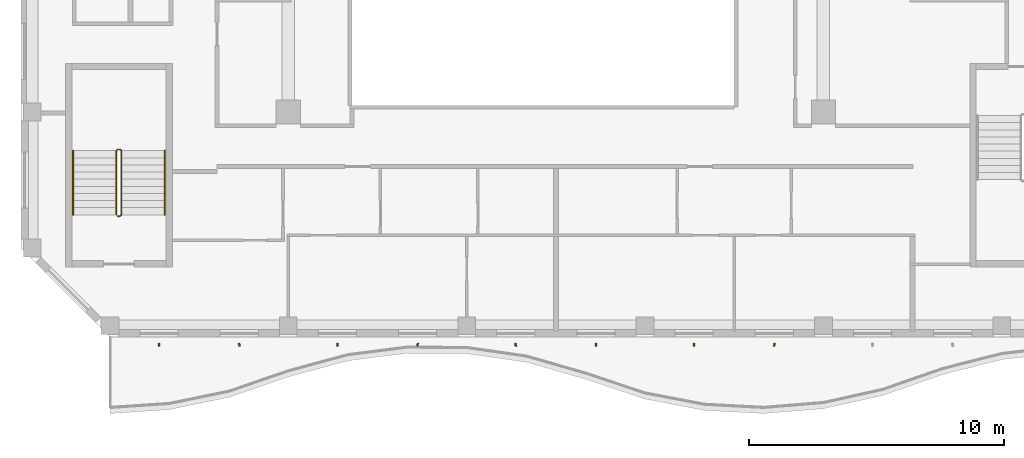
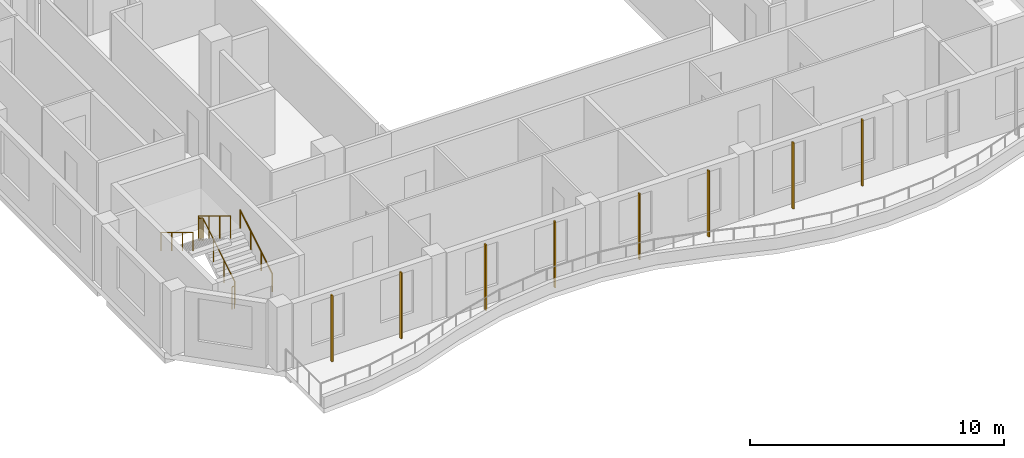
# One storey, part 13 of 19: 8 shading devices, 3 railings.
"""IFC4 building model written with IfcOpenShell, lengths in metres."""

from ifc_helpers import new_model, si_unit, direction, frame, origin, origin_2d, place, context, subcontext, project, spatial, rectangle, circle, extrude, source, transform, mapped, material, material_profile, profile_set, type_object, element, save


model = new_model("IFC4")

# Units and contexts
model_context = context("Model", 3, precision=1e-05, world=origin(), true_north=direction((0.0, 1.0)))
body_context = subcontext(model_context, "Body", "Model", "MODEL_VIEW")
ifc_project = project(units=[si_unit("LENGTHUNIT", "METRE"), si_unit("AREAUNIT", "SQUARE_METRE"), si_unit("VOLUMEUNIT", "CUBIC_METRE"), si_unit("PLANEANGLEUNIT", "RADIAN"), si_unit("MASSUNIT", "GRAM", prefix="KILO")], contexts=[model_context])

# Site, building, storey
site_placement = place(None, origin())
site = spatial("IfcSite", under=ifc_project, at=site_placement, CompositionType="ELEMENT")
building_placement = place(site_placement, origin())
building = spatial("IfcBuilding", under=site, at=building_placement, Name="Kilnfold Tower and Market Hall", CompositionType="ELEMENT")
storey_placement = place(building_placement, frame((0.0, 0.0, 252.60009765625)))
storey = spatial("IfcBuildingStorey", under=building, at=storey_placement, Name="L61", CompositionType="ELEMENT", Elevation=252.60009765625)

# Railings
ifc_material_1 = material(Name="Stainless steel 316", Category="steel")
railing_type_1 = type_object("IfcRailingType", Name="CORE STAIR GUARD 1100", PredefinedType="GUARDRAIL", material=ifc_material_1)
railing_1_placement = place(storey_placement, frame((-15.699951171875, -13.75, 0.0)))
element("IfcRailing", 1, at=railing_1_placement, inside=storey, type_object=railing_type_1, Name="L61 ST3 stair guard 1", PredefinedType="GUARDRAIL", context=body_context, shape_type="SweptSolid", body=[
    extrude(circle(Radius=0.02392578125, at=origin_2d()), frame((0.0, 0.0, 1.076171875), z_axis=(1.0, 0.0, 0.0), x_axis=(0.0, 1.0, 0.0)), (0.0, 0.0, 1.0), 0.099853515625),
    extrude(circle(Radius=0.02392578125, at=origin_2d()), frame((0.099853515625, 0.0, 1.076171875), z_axis=(0.271895245746, 0.271895245746, 0.923117517265), x_axis=(-0.707106781187, 0.707106781187, 0.0)), (0.0, 0.0, 1.0), 0.18408203125),
    extrude(circle(Radius=0.02392578125, at=origin_2d()), frame((0.14990234375, 0.050048828125, 1.24609375), z_axis=(0.0, 0.85478489116, 0.518982456201), x_axis=(-1.0, 0.0, 0.0)), (0.0, 0.0, 1.0), 2.9482421875),
    extrude(circle(Radius=0.02392578125, at=origin_2d()), frame((0.14990234375, 2.570068359375, 2.77587890625), z_axis=(-0.707106781187, 0.707106781187, 0.0), x_axis=(-0.707106781187, -0.707106781187, 0.0)), (0.0, 0.0, 1.0), 0.07080078125),
    extrude(circle(Radius=0.02392578125, at=origin_2d()), frame((0.099853515625, 2.6201171875, 2.77587890625), z_axis=(-1.0, 0.0, 0.0), x_axis=(0.0, -1.0, 0.0)), (0.0, 0.0, 1.0), 0.099853515625),
    extrude(circle(Radius=0.02392578125, at=origin_2d()), frame((0.0, 2.6201171875, 2.77587890625), z_axis=(-0.271895245746, -0.271895245746, 0.923117517265), x_axis=(0.707106781187, -0.707106781187, 0.0)), (0.0, 0.0, 1.0), 0.18408203125),
    extrude(circle(Radius=0.02392578125, at=origin_2d()), frame((-0.050048828125, 2.570068359375, 2.94580078125), z_axis=(0.0, -0.85478489116, 0.518982456201), x_axis=(1.0, 0.0, 0.0)), (0.0, 0.0, 1.0), 2.9482421875),
    extrude(circle(Radius=0.02099609375, at=origin_2d()), origin(), (0.0, 0.0, 1.0), 1.052001953125),
    extrude(circle(Radius=0.02099609375, at=origin_2d()), frame((0.099853515625, 0.0, 0.0)), (0.0, 0.0, 1.0), 1.052001953125),
    extrude(circle(Radius=0.02099609375, at=origin_2d()), frame((0.14990234375, 0.050048828125, 0.169921875)), (0.0, 0.0, 1.0), 1.052001953125),
    extrude(circle(Radius=0.02099609375, at=origin_2d()), frame((0.14990234375, 0.89013671875, 0.679931640625)), (0.0, 0.0, 1.0), 1.052001953125),
    extrude(circle(Radius=0.02099609375, at=origin_2d()), frame((0.14990234375, 1.72998046875, 1.18994140625)), (0.0, 0.0, 1.0), 1.052001953125),
    extrude(circle(Radius=0.02099609375, at=origin_2d()), frame((0.14990234375, 2.570068359375, 1.699951171875)), (0.0, 0.0, 1.0), 1.052001953125),
    extrude(circle(Radius=0.02099609375, at=origin_2d()), frame((0.099853515625, 2.6201171875, 1.699951171875)), (0.0, 0.0, 1.0), 1.052001953125),
    extrude(circle(Radius=0.02099609375, at=origin_2d()), frame((0.0, 2.6201171875, 1.699951171875)), (0.0, 0.0, 1.0), 1.052001953125),
    extrude(circle(Radius=0.02099609375, at=origin_2d()), frame((-0.050048828125, 2.570068359375, 1.869873046875)), (0.0, 0.0, 1.0), 1.052001953125),
    extrude(circle(Radius=0.02099609375, at=origin_2d()), frame((-0.050048828125, 1.72998046875, 2.3798828125)), (0.0, 0.0, 1.0), 1.052001953125),
    extrude(circle(Radius=0.02099609375, at=origin_2d()), frame((-0.050048828125, 0.89013671875, 2.889892578125)), (0.0, 0.0, 1.0), 1.052001953125),
    extrude(circle(Radius=0.02099609375, at=origin_2d()), frame((-0.050048828125, 0.050048828125, 3.39990234375)), (0.0, 0.0, 1.0), 1.052001953125),
])
ifc_material_2 = material(Name="Stainless steel 316", Category="steel")
railing_type_2 = type_object("IfcRailingType", Name="CORE STAIR HANDRAIL 900", PredefinedType="HANDRAIL", material=ifc_material_2)
railing_2_placement = place(storey_placement, frame((-13.85009765625, -13.699951171875, 0.169921875)))
element("IfcRailing", 2, at=railing_2_placement, inside=storey, type_object=railing_type_2, Name="L61 ST3 stair handrail 1", PredefinedType="HANDRAIL", context=body_context, shape_type="SweptSolid", body=[
    extrude(circle(Radius=0.02392578125, at=origin_2d()), frame((0.0, 0.0, 0.8759765625), z_axis=(0.0, 0.85478489116, 0.518982456201), x_axis=(-1.0, 0.0, 0.0)), (0.0, 0.0, 1.0), 2.9482421875),
    extrude(circle(Radius=0.02099609375, at=origin_2d()), origin(), (0.0, 0.0, 1.0), 0.851806640625),
    extrude(circle(Radius=0.02099609375, at=origin_2d()), frame((0.0, 0.840087890625, 0.510009765625)), (0.0, 0.0, 1.0), 0.851806640625),
    extrude(circle(Radius=0.02099609375, at=origin_2d()), frame((0.0, 1.679931640625, 1.02001953125)), (0.0, 0.0, 1.0), 0.851806640625),
    extrude(circle(Radius=0.02099609375, at=origin_2d()), frame((0.0, 2.52001953125, 1.530029296875)), (0.0, 0.0, 1.0), 0.851806640625),
])
railing_3_placement = place(storey_placement, frame((-17.449951171875, -11.179931640625, 1.869873046875)))
element("IfcRailing", 3, at=railing_3_placement, inside=storey, type_object=railing_type_2, Name="L61 ST3 stair handrail 2", PredefinedType="HANDRAIL", context=body_context, shape_type="SweptSolid", body=[
    extrude(circle(Radius=0.02392578125, at=origin_2d()), frame((0.0, 0.0, 0.8759765625), z_axis=(0.0, -0.85478489116, 0.518982456201), x_axis=(1.0, 0.0, 0.0)), (0.0, 0.0, 1.0), 2.9482421875),
    extrude(circle(Radius=0.02099609375, at=origin_2d()), origin(), (0.0, 0.0, 1.0), 0.851806640625),
    extrude(circle(Radius=0.02099609375, at=origin_2d()), frame((0.0, -0.840087890625, 0.510009765625)), (0.0, 0.0, 1.0), 0.851806640625),
    extrude(circle(Radius=0.02099609375, at=origin_2d()), frame((0.0, -1.679931640625, 1.02001953125)), (0.0, 0.0, 1.0), 0.851806640625),
    extrude(circle(Radius=0.02099609375, at=origin_2d()), frame((0.0, -2.52001953125, 1.530029296875)), (0.0, 0.0, 1.0), 0.851806640625),
])

# Shading devices
ifc_material_3 = material(Name="Terracotta", Category="masonry")
ifc_material_profile = material_profile(ifc_material_3, rectangle(XDim=0.06005859375, YDim=0.1201171875, at=origin_2d()), Name="BAG 60x120")
ifc_profile_set = profile_set([ifc_material_profile], Name="Terracotta")
shading_device_type = type_object("IfcShadingDeviceType", Name="BAGUETTE", PredefinedType="USERDEFINED", material=ifc_profile_set)
shared_shape = source(origin(), body_context, "Body", "SweptSolid", [
    extrude(rectangle(XDim=0.06005859375, YDim=0.1201171875, at=origin_2d()), origin(), (0.0, 0.0, 1.0), 3.179931640625),
])
for number, where, z_axis, x_axis, name in (
    (4, (-14.074951171875, -18.800048828125, 0.0), (0.0, 0.0, 1.0), (0.999496310785, 0.031735228472, 0.0), "Terracotta baguette L61 S"),
    (5, (-10.925048828125, -18.800048828125, 0.0), (0.0, 0.0, 1.0), (0.990318769561, 0.138811867849, 0.0), "Terracotta baguette L61 S"),
    (6, (-7.074951171875, -18.800048828125, 0.0), (0.0, 0.0, 1.0), (0.999496310785, -0.031735228472, 0.0), "Terracotta baguette L61 S"),
    (7, (-3.925048828125, -18.800048828125, 0.0), (0.0, 0.0, 1.0), (0.990318769561, -0.138811867849, 0.0), "Terracotta baguette L61 S"),
    (8, (-0.074951171875, -18.800048828125, 0.0), (0.0, 0.0, 1.0), (0.999496310785, 0.031735228472, 0.0), "Terracotta baguette L61 S"),
    (9, (3.074951171875, -18.800048828125, 0.0), (0.0, 0.0, 1.0), (0.990318769561, 0.138811867849, 0.0), "Terracotta baguette L61 S"),
    (10, (6.925048828125, -18.800048828125, 0.0), (0.0, 0.0, 1.0), (0.999496310785, -0.031735228472, 0.0), "Terracotta baguette L61 S"),
    (11, (10.074951171875, -18.800048828125, 0.0), (0.0, 0.0, 1.0), (0.990318769561, -0.138811867849, 0.0), "Terracotta baguette L61 S"),
):
    element("IfcShadingDevice", number, at=place(storey_placement, frame(where, z_axis=z_axis, x_axis=x_axis)), inside=storey, type_object=shading_device_type, Name=name, ObjectType="BAGUETTE", PredefinedType="USERDEFINED", context=body_context, shape_type="MappedRepresentation", body=[
        mapped(shared_shape, transform((0.0, 0.0, 0.0))),
    ])

save(model, "model.ifc")
